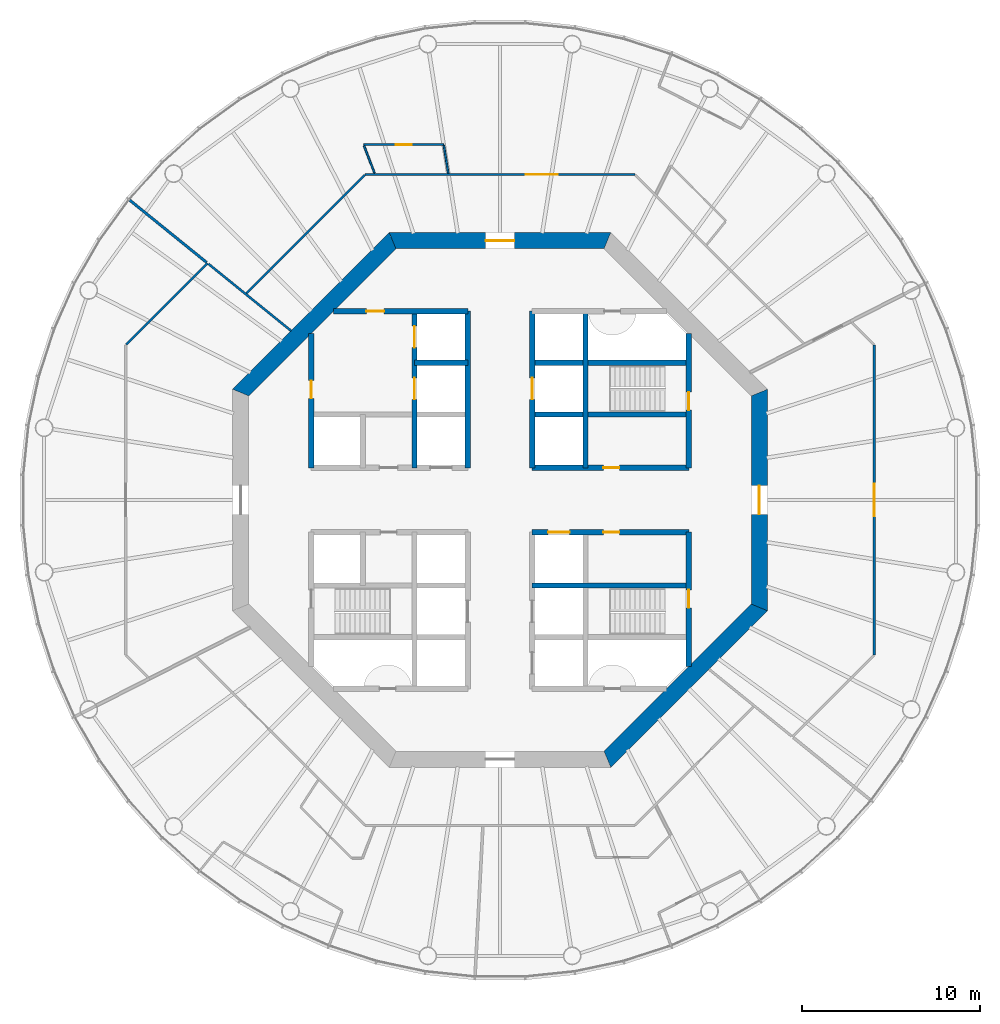
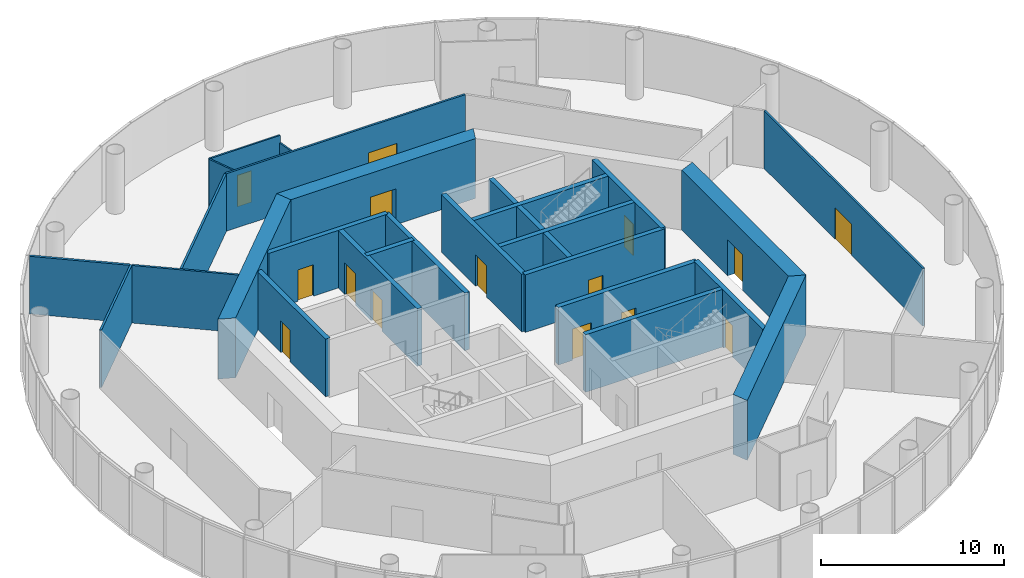
# One storey, part 4 of 12: 27 walls, 15 doors, 15 openings.
"""IFC4 building model written with IfcOpenShell, lengths in metres."""

from ifc_helpers import new_model, si_unit, direction, frame, frame_2d, origin, place, context, subcontext, project, spatial, polyline, rectangle, outline, extrude, material, layer, layer_set, type_object, element, fill, save


model = new_model("IFC4")

# Units and contexts
model_context = context("Model", 3, precision=1e-05, world=origin(), true_north=direction((0.0, 1.0)))
body_context = subcontext(model_context, "Body", "Model", "MODEL_VIEW")
ifc_project = project(units=[si_unit("LENGTHUNIT", "METRE"), si_unit("AREAUNIT", "SQUARE_METRE"), si_unit("VOLUMEUNIT", "CUBIC_METRE"), si_unit("PLANEANGLEUNIT", "RADIAN"), si_unit("MASSUNIT", "GRAM", prefix="KILO")], contexts=[model_context])

# Site, building, storey
site_placement = place(None, origin())
site = spatial("IfcSite", under=ifc_project, at=site_placement, CompositionType="ELEMENT")
building_placement = place(site_placement, origin())
building = spatial("IfcBuilding", under=site, at=building_placement, Name="Entoto Ring Tower", CompositionType="ELEMENT")
storey_placement = place(building_placement, frame((0.0, 0.0, 254.0)))
storey = spatial("IfcBuildingStorey", under=building, at=storey_placement, Name="L58", CompositionType="ELEMENT", Elevation=254.0)

# Wall, opening, door
ifc_material_1 = material(Name="Concrete C40/50", Category="concrete")
ifc_layer_1 = layer(ifc_material_1, 0.300048828125)
ifc_layer_set_1 = layer_set([ifc_layer_1], Name="Concrete C40/50")
wall_type_1 = type_object("IfcWallType", Name="Core enclosure wall 300 mm reinforced concrete", PredefinedType="SOLIDWALL", material=ifc_layer_set_1)
wall_1_placement = place(storey_placement, frame((100.60009765625, 70.65966796875, 0.0), z_axis=(0.0, 0.0, 1.0), x_axis=(0.0, 1.0, 0.0)))
wall_1 = element("IfcWall", 1, at=wall_1_placement, inside=storey, type_object=wall_type_1, Name="wall-L58-001", PredefinedType="SOLIDWALL", context=body_context, shape_type="SweptSolid", body=[
    extrude(rectangle(XDim=7.540283203125, YDim=0.300048828125, at=frame_2d((3.77001953125, 0.0))), origin(), (0.0, 0.0, 1.0), 3.85009765625),
])
opening_1_placement = place(wall_1_placement, frame((3.290283203125, 0.0, 0.0)))
opening_1 = element("IfcOpeningElement", 2, at=opening_1_placement, cuts=wall_1, Name="Opening K-17", PredefinedType="OPENING", context=body_context, shape_type="SweptSolid", body=[
    extrude(rectangle(XDim=1.0, YDim=2.10009765625, at=frame_2d((0.5, 1.050048828125))), frame((0.0, 0.16015625, 0.0), z_axis=(0.0, -1.0, 0.0), x_axis=(1.0, 0.0, 0.0)), (0.0, 0.0, 1.0), 0.320068359375),
])
ifc_material_2 = material(Name="Steel door leaf, fire rated", Category="steel")
ifc_layer_2 = layer(ifc_material_2, 0.050048828125)
ifc_layer_set_2 = layer_set([ifc_layer_2], Name="Steel door leaf, fire rated")
door_type_1 = type_object("IfcDoorType", Name="Fire door FD60 1000 x 2100 single leaf", OperationType="NOTDEFINED", PredefinedType="DOOR", material=ifc_layer_set_2)
door_1_placement = place(opening_1_placement, origin())
door_1 = element("IfcDoor", 3, at=door_1_placement, inside=storey, type_object=door_type_1, Name="Door K-17", OperationType="SINGLE_SWING_RIGHT", OverallHeight=2.10009765625, OverallWidth=1.0, PredefinedType="DOOR", context=body_context, shape_type="SweptSolid", body=[
    extrude(rectangle(XDim=1.0, YDim=2.10009765625, at=frame_2d((0.5, 1.050048828125))), frame((0.0, 0.02490234375, 0.0), z_axis=(0.0, -1.0, 0.0), x_axis=(1.0, 0.0, 0.0)), (0.0, 0.0, 1.0), 0.050048828125),
])
fill(opening_1, door_1)

wall_2_placement = place(storey_placement, frame((100.60009765625, 81.800048828125, 0.0), z_axis=(0.0, 0.0, 1.0), x_axis=(0.0, 1.0, 0.0)))
wall_2 = element("IfcWall", 4, at=wall_2_placement, inside=storey, type_object=wall_type_1, Name="wall-L58-002", PredefinedType="SOLIDWALL", context=body_context, shape_type="SweptSolid", body=[
    extrude(rectangle(XDim=7.540283203125, YDim=0.300048828125, at=frame_2d((3.77001953125, 0.0))), origin(), (0.0, 0.0, 1.0), 3.85009765625),
])
opening_2_placement = place(wall_2_placement, frame((3.25, 0.0, 0.0)))
opening_2 = element("IfcOpeningElement", 5, at=opening_2_placement, cuts=wall_2, Name="Opening K-52", PredefinedType="OPENING", context=body_context, shape_type="SweptSolid", body=[
    extrude(rectangle(XDim=1.0, YDim=2.10009765625, at=frame_2d((0.5, 1.050048828125))), frame((0.0, 0.16015625, 0.0), z_axis=(0.0, -1.0, 0.0), x_axis=(1.0, 0.0, 0.0)), (0.0, 0.0, 1.0), 0.320068359375),
])
door_2_placement = place(opening_2_placement, origin())
door_2 = element("IfcDoor", 6, at=door_2_placement, inside=storey, type_object=door_type_1, Name="Door K-52", OperationType="SINGLE_SWING_LEFT", OverallHeight=2.10009765625, OverallWidth=1.0, PredefinedType="DOOR", context=body_context, shape_type="SweptSolid", body=[
    extrude(rectangle(XDim=1.0, YDim=2.10009765625, at=frame_2d((0.5, 1.050048828125))), frame((0.0, 0.02490234375, 0.0), z_axis=(0.0, -1.0, 0.0), x_axis=(1.0, 0.0, 0.0)), (0.0, 0.0, 1.0), 0.050048828125),
])
fill(opening_2, door_2)

# Wall
wall_3_placement = place(storey_placement, frame((94.800048828125, 81.800048828125, 0.0), z_axis=(0.0, 0.0, 1.0), x_axis=(0.0, 1.0, 0.0)))
element("IfcWall", 7, at=wall_3_placement, inside=storey, type_object=wall_type_1, Name="wall-L58-004", PredefinedType="SOLIDWALL", context=body_context, shape_type="SweptSolid", body=[
    extrude(rectangle(XDim=8.800048828125, YDim=0.300048828125, at=frame_2d((4.39990234375, 0.0))), origin(), (0.0, 0.0, 1.0), 3.85009765625),
])

# Wall, opening, door
wall_4_placement = place(storey_placement, frame((91.800048828125, 81.800048828125, 0.0), z_axis=(0.0, 0.0, 1.0), x_axis=(0.0, 1.0, 0.0)))
wall_4 = element("IfcWall", 8, at=wall_4_placement, inside=storey, type_object=wall_type_1, Name="wall-L58-006", PredefinedType="SOLIDWALL", context=body_context, shape_type="SweptSolid", body=[
    extrude(rectangle(XDim=8.800048828125, YDim=0.300048828125, at=frame_2d((4.39990234375, 0.0))), origin(), (0.0, 0.0, 1.0), 3.85009765625),
])
opening_3_placement = place(wall_4_placement, frame((3.85009765625, 0.0, 0.0)))
opening_3 = element("IfcOpeningElement", 9, at=opening_3_placement, cuts=wall_4, Name="Opening LD", PredefinedType="OPENING", context=body_context, shape_type="SweptSolid", body=[
    extrude(rectangle(XDim=1.199951171875, YDim=2.10009765625, at=frame_2d((0.60009765625, 1.050048828125))), frame((0.0, 0.16015625, 0.0), z_axis=(0.0, -1.0, 0.0), x_axis=(1.0, 0.0, 0.0)), (0.0, 0.0, 1.0), 0.320068359375),
])
ifc_material_3 = material(Name="Steel and glass door leaf", Category="steel")
ifc_layer_3 = layer(ifc_material_3, 0.050048828125)
ifc_layer_set_3 = layer_set([ifc_layer_3], Name="Steel and glass door leaf")
door_type_2 = type_object("IfcDoorType", Name="Landing door 1200 x 2100 sliding", OperationType="DOUBLE_DOOR_SLIDING", PredefinedType="DOOR", material=ifc_layer_set_3)
door_3_placement = place(opening_3_placement, origin())
door_3 = element("IfcDoor", 10, at=door_3_placement, inside=storey, type_object=door_type_2, Name="Landing door LB1-MR", OperationType="SLIDING_TO_RIGHT", OverallHeight=2.10009765625, OverallWidth=1.199951171875, PredefinedType="DOOR", context=body_context, shape_type="SweptSolid", body=[
    extrude(rectangle(XDim=1.199951171875, YDim=2.10009765625, at=frame_2d((0.60009765625, 1.050048828125))), frame((0.0, 0.02490234375, 0.0), z_axis=(0.0, -1.0, 0.0), x_axis=(1.0, 0.0, 0.0)), (0.0, 0.0, 1.0), 0.050048828125),
])
fill(opening_3, door_3)

# Wall
wall_5_placement = place(storey_placement, frame((88.199951171875, 81.800048828125, 0.0), z_axis=(0.0, 0.0, 1.0), x_axis=(0.0, 1.0, 0.0)))
element("IfcWall", 11, at=wall_5_placement, inside=storey, type_object=wall_type_1, Name="wall-L58-008", PredefinedType="SOLIDWALL", context=body_context, shape_type="SweptSolid", body=[
    extrude(rectangle(XDim=8.800048828125, YDim=0.300048828125, at=frame_2d((4.39990234375, 0.0))), origin(), (0.0, 0.0, 1.0), 3.85009765625),
])

# Wall, openings, doors
wall_6_placement = place(storey_placement, frame((85.199951171875, 81.800048828125, 0.0), z_axis=(0.0, 0.0, 1.0), x_axis=(0.0, 1.0, 0.0)))
wall_6 = element("IfcWall", 12, at=wall_6_placement, inside=storey, type_object=wall_type_1, Name="wall-L58-010", PredefinedType="SOLIDWALL", context=body_context, shape_type="SweptSolid", body=[
    extrude(rectangle(XDim=8.800048828125, YDim=0.300048828125, at=frame_2d((4.39990234375, 0.0))), origin(), (0.0, 0.0, 1.0), 3.85009765625),
])
opening_4_placement = place(wall_6_placement, frame((3.85009765625, 0.0, 0.0)))
opening_4 = element("IfcOpeningElement", 13, at=opening_4_placement, cuts=wall_6, Name="Opening LD", PredefinedType="OPENING", context=body_context, shape_type="SweptSolid", body=[
    extrude(rectangle(XDim=1.199951171875, YDim=2.10009765625, at=frame_2d((0.60009765625, 1.050048828125))), frame((0.0, 0.16015625, 0.0), z_axis=(0.0, -1.0, 0.0), x_axis=(1.0, 0.0, 0.0)), (0.0, 0.0, 1.0), 0.320068359375),
])
opening_5_placement = place(wall_6_placement, frame((6.75, 0.0, 0.0)))
opening_5 = element("IfcOpeningElement", 14, at=opening_5_placement, cuts=wall_6, Name="Opening LD", PredefinedType="OPENING", context=body_context, shape_type="SweptSolid", body=[
    extrude(rectangle(XDim=1.199951171875, YDim=2.10009765625, at=frame_2d((0.60009765625, 1.050048828125))), frame((0.0, 0.16015625, 0.0), z_axis=(0.0, -1.0, 0.0), x_axis=(1.0, 0.0, 0.0)), (0.0, 0.0, 1.0), 0.320068359375),
])
door_4_placement = place(opening_4_placement, origin())
door_4 = element("IfcDoor", 15, at=door_4_placement, inside=storey, type_object=door_type_2, Name="Landing door FF1", OperationType="SLIDING_TO_RIGHT", OverallHeight=2.10009765625, OverallWidth=1.199951171875, PredefinedType="DOOR", context=body_context, shape_type="SweptSolid", body=[
    extrude(rectangle(XDim=1.199951171875, YDim=2.10009765625, at=frame_2d((0.60009765625, 1.050048828125))), frame((0.0, 0.02490234375, 0.0), z_axis=(0.0, -1.0, 0.0), x_axis=(1.0, 0.0, 0.0)), (0.0, 0.0, 1.0), 0.050048828125),
])
fill(opening_4, door_4)
door_5_placement = place(opening_5_placement, origin())
door_5 = element("IfcDoor", 16, at=door_5_placement, inside=storey, type_object=door_type_2, Name="Landing door FF2", OperationType="SLIDING_TO_RIGHT", OverallHeight=2.10009765625, OverallWidth=1.199951171875, PredefinedType="DOOR", context=body_context, shape_type="SweptSolid", body=[
    extrude(rectangle(XDim=1.199951171875, YDim=2.10009765625, at=frame_2d((0.60009765625, 1.050048828125))), frame((0.0, 0.02490234375, 0.0), z_axis=(0.0, -1.0, 0.0), x_axis=(1.0, 0.0, 0.0)), (0.0, 0.0, 1.0), 0.050048828125),
])
fill(opening_5, door_5)

# Wall, opening, door
wall_7_placement = place(storey_placement, frame((79.39990234375, 81.800048828125, 0.0), z_axis=(0.0, 0.0, 1.0), x_axis=(0.0, 1.0, 0.0)))
wall_7 = element("IfcWall", 17, at=wall_7_placement, inside=storey, type_object=wall_type_1, Name="wall-L58-014", PredefinedType="SOLIDWALL", context=body_context, shape_type="SweptSolid", body=[
    extrude(rectangle(XDim=7.540283203125, YDim=0.300048828125, at=frame_2d((3.77001953125, 0.0))), origin(), (0.0, 0.0, 1.0), 3.85009765625),
])
opening_6_placement = place(wall_7_placement, frame((3.89990234375, 0.0, 0.0)))
opening_6 = element("IfcOpeningElement", 18, at=opening_6_placement, cuts=wall_7, Name="Opening K-67", PredefinedType="OPENING", context=body_context, shape_type="SweptSolid", body=[
    extrude(rectangle(XDim=1.0, YDim=2.10009765625, at=frame_2d((0.5, 1.050048828125))), frame((0.0, 0.16015625, 0.0), z_axis=(0.0, -1.0, 0.0), x_axis=(1.0, 0.0, 0.0)), (0.0, 0.0, 1.0), 0.320068359375),
])
door_6_placement = place(opening_6_placement, frame((1.0, 0.0, 0.0), z_axis=(0.0, 0.0, 1.0), x_axis=(-1.0, 0.0, 0.0)))
door_6 = element("IfcDoor", 19, at=door_6_placement, inside=storey, type_object=door_type_1, Name="Door K-67", OperationType="SINGLE_SWING_RIGHT", OverallHeight=2.10009765625, OverallWidth=1.0, PredefinedType="DOOR", context=body_context, shape_type="SweptSolid", body=[
    extrude(rectangle(XDim=1.0, YDim=2.10009765625, at=frame_2d((0.5, 1.050048828125))), frame((0.0, 0.02490234375, 0.0), z_axis=(0.0, -1.0, 0.0), x_axis=(1.0, 0.0, 0.0)), (0.0, 0.0, 1.0), 0.050048828125),
])
fill(opening_6, door_6)

# Wall
wall_8_placement = place(storey_placement, frame((91.800048828125, 75.199951171875, 0.0), z_axis=(0.0, 0.0, 1.0), x_axis=(1.0, 0.0, 0.0)))
element("IfcWall", 20, at=wall_8_placement, inside=storey, type_object=wall_type_1, Name="wall-L58-020", PredefinedType="SOLIDWALL", context=body_context, shape_type="SweptSolid", body=[
    extrude(rectangle(XDim=8.800048828125, YDim=0.300048828125, at=frame_2d((4.39990234375, 0.0))), origin(), (0.0, 0.0, 1.0), 3.85009765625),
])

# Wall, openings, doors
wall_9_placement = place(storey_placement, frame((91.800048828125, 78.199951171875, 0.0), z_axis=(0.0, 0.0, 1.0), x_axis=(1.0, 0.0, 0.0)))
wall_9 = element("IfcWall", 21, at=wall_9_placement, inside=storey, type_object=wall_type_1, Name="wall-L58-022", PredefinedType="SOLIDWALL", context=body_context, shape_type="SweptSolid", body=[
    extrude(rectangle(XDim=8.800048828125, YDim=0.300048828125, at=frame_2d((4.39990234375, 0.0))), origin(), (0.0, 0.0, 1.0), 3.85009765625),
])
opening_7_placement = place(wall_9_placement, frame((0.89990234375, 0.0, 0.0)))
opening_7 = element("IfcOpeningElement", 22, at=opening_7_placement, cuts=wall_9, Name="Opening LD", PredefinedType="OPENING", context=body_context, shape_type="SweptSolid", body=[
    extrude(rectangle(XDim=1.199951171875, YDim=2.10009765625, at=frame_2d((0.60009765625, 1.050048828125))), frame((0.0, 0.16015625, 0.0), z_axis=(0.0, -1.0, 0.0), x_axis=(1.0, 0.0, 0.0)), (0.0, 0.0, 1.0), 0.320068359375),
])
opening_8_placement = place(wall_9_placement, frame((4.0, 0.0, 0.0)))
opening_8 = element("IfcOpeningElement", 23, at=opening_8_placement, cuts=wall_9, Name="Opening K-12", PredefinedType="OPENING", context=body_context, shape_type="SweptSolid", body=[
    extrude(rectangle(XDim=0.89990234375, YDim=2.10009765625, at=frame_2d((0.449951171875, 1.050048828125))), frame((0.0, 0.16015625, 0.0), z_axis=(0.0, -1.0, 0.0), x_axis=(1.0, 0.0, 0.0)), (0.0, 0.0, 1.0), 0.320068359375),
])
ifc_material_4 = material(Name="Steel door leaf, fire rated", Category="steel")
ifc_layer_4 = layer(ifc_material_4, 0.050048828125)
ifc_layer_set_4 = layer_set([ifc_layer_4], Name="Steel door leaf, fire rated")
door_type_3 = type_object("IfcDoorType", Name="Core door 900 x 2100 single leaf", OperationType="NOTDEFINED", PredefinedType="DOOR", material=ifc_layer_set_4)
door_7_placement = place(opening_8_placement, frame((0.89990234375, 0.0, 0.0), z_axis=(0.0, 0.0, 1.0), x_axis=(-1.0, 0.0, 0.0)))
door_7 = element("IfcDoor", 24, at=door_7_placement, inside=storey, type_object=door_type_3, Name="Door K-12", OperationType="SINGLE_SWING_RIGHT", OverallHeight=2.10009765625, OverallWidth=0.89990234375, PredefinedType="DOOR", context=body_context, shape_type="SweptSolid", body=[
    extrude(rectangle(XDim=0.89990234375, YDim=2.10009765625, at=frame_2d((0.449951171875, 1.050048828125))), frame((0.0, 0.02490234375, 0.0), z_axis=(0.0, -1.0, 0.0), x_axis=(1.0, 0.0, 0.0)), (0.0, 0.0, 1.0), 0.050048828125),
])
fill(opening_8, door_7)
door_8_placement = place(opening_7_placement, origin())
door_8 = element("IfcDoor", 25, at=door_8_placement, inside=storey, type_object=door_type_2, Name="Landing door LB6-MR", OperationType="SLIDING_TO_LEFT", OverallHeight=2.10009765625, OverallWidth=1.199951171875, PredefinedType="DOOR", context=body_context, shape_type="SweptSolid", body=[
    extrude(rectangle(XDim=1.199951171875, YDim=2.10009765625, at=frame_2d((0.60009765625, 1.050048828125))), frame((0.0, 0.02490234375, 0.0), z_axis=(0.0, -1.0, 0.0), x_axis=(1.0, 0.0, 0.0)), (0.0, 0.0, 1.0), 0.050048828125),
])
fill(opening_7, door_8)

# Wall, opening, door
wall_10_placement = place(storey_placement, frame((91.800048828125, 81.800048828125, 0.0), z_axis=(0.0, 0.0, 1.0), x_axis=(1.0, 0.0, 0.0)))
wall_10 = element("IfcWall", 26, at=wall_10_placement, inside=storey, type_object=wall_type_1, Name="wall-L58-024", PredefinedType="SOLIDWALL", context=body_context, shape_type="SweptSolid", body=[
    extrude(rectangle(XDim=8.800048828125, YDim=0.300048828125, at=frame_2d((4.39990234375, 0.0))), origin(), (0.0, 0.0, 1.0), 3.85009765625),
])
opening_9_placement = place(wall_10_placement, frame((4.0, 0.0, 0.0)))
opening_9 = element("IfcOpeningElement", 27, at=opening_9_placement, cuts=wall_10, Name="Opening K-11", PredefinedType="OPENING", context=body_context, shape_type="SweptSolid", body=[
    extrude(rectangle(XDim=0.89990234375, YDim=2.10009765625, at=frame_2d((0.449951171875, 1.050048828125))), frame((0.0, 0.16015625, 0.0), z_axis=(0.0, -1.0, 0.0), x_axis=(1.0, 0.0, 0.0)), (0.0, 0.0, 1.0), 0.320068359375),
])
door_9_placement = place(opening_9_placement, origin())
door_9 = element("IfcDoor", 28, at=door_9_placement, inside=storey, type_object=door_type_3, Name="Door K-11", OperationType="SINGLE_SWING_LEFT", OverallHeight=2.10009765625, OverallWidth=0.89990234375, PredefinedType="DOOR", context=body_context, shape_type="SweptSolid", body=[
    extrude(rectangle(XDim=0.89990234375, YDim=2.10009765625, at=frame_2d((0.449951171875, 1.050048828125))), frame((0.0, 0.02490234375, 0.0), z_axis=(0.0, -1.0, 0.0), x_axis=(1.0, 0.0, 0.0)), (0.0, 0.0, 1.0), 0.050048828125),
])
fill(opening_9, door_9)

# Walls
wall_11_placement = place(storey_placement, frame((91.800048828125, 84.800048828125, 0.0), z_axis=(0.0, 0.0, 1.0), x_axis=(1.0, 0.0, 0.0)))
element("IfcWall", 29, at=wall_11_placement, inside=storey, type_object=wall_type_1, Name="wall-L58-026", PredefinedType="SOLIDWALL", context=body_context, shape_type="SweptSolid", body=[
    extrude(rectangle(XDim=8.800048828125, YDim=0.300048828125, at=frame_2d((4.39990234375, 0.0))), origin(), (0.0, 0.0, 1.0), 3.85009765625),
])
wall_12_placement = place(storey_placement, frame((85.199951171875, 87.699951171875, 0.0), z_axis=(0.0, 0.0, 1.0), x_axis=(1.0, 0.0, 0.0)))
element("IfcWall", 30, at=wall_12_placement, inside=storey, type_object=wall_type_1, Name="wall-L58-027", PredefinedType="SOLIDWALL", context=body_context, shape_type="SweptSolid", body=[
    extrude(rectangle(XDim=3.0, YDim=0.300048828125, at=frame_2d((1.5, 0.0))), origin(), (0.0, 0.0, 1.0), 3.85009765625),
])
wall_13_placement = place(storey_placement, frame((91.800048828125, 87.699951171875, 0.0), z_axis=(0.0, 0.0, 1.0), x_axis=(1.0, 0.0, 0.0)))
element("IfcWall", 31, at=wall_13_placement, inside=storey, type_object=wall_type_1, Name="wall-L58-028", PredefinedType="SOLIDWALL", context=body_context, shape_type="SweptSolid", body=[
    extrude(rectangle(XDim=8.800048828125, YDim=0.300048828125, at=frame_2d((4.39990234375, 0.0))), origin(), (0.0, 0.0, 1.0), 3.85009765625),
])

# Wall, opening, door
wall_14_placement = place(storey_placement, frame((80.65966796875, 90.60009765625, 0.0), z_axis=(0.0, 0.0, 1.0), x_axis=(1.0, 0.0, 0.0)))
wall_14 = element("IfcWall", 32, at=wall_14_placement, inside=storey, type_object=wall_type_1, Name="wall-L58-029", PredefinedType="SOLIDWALL", context=body_context, shape_type="SweptSolid", body=[
    extrude(rectangle(XDim=7.540283203125, YDim=0.300048828125, at=frame_2d((3.77001953125, 0.0))), origin(), (0.0, 0.0, 1.0), 3.85009765625),
])
opening_10_placement = place(wall_14_placement, frame((1.84033203125, 0.0, 0.0)))
opening_10 = element("IfcOpeningElement", 33, at=opening_10_placement, cuts=wall_14, Name="Opening K-22", PredefinedType="OPENING", context=body_context, shape_type="SweptSolid", body=[
    extrude(rectangle(XDim=1.0, YDim=2.10009765625, at=frame_2d((0.5, 1.050048828125))), frame((0.0, 0.16015625, 0.0), z_axis=(0.0, -1.0, 0.0), x_axis=(1.0, 0.0, 0.0)), (0.0, 0.0, 1.0), 0.320068359375),
])
door_10_placement = place(opening_10_placement, frame((1.0, 0.0, 0.0), z_axis=(0.0, 0.0, 1.0), x_axis=(-1.0, 0.0, 0.0)))
door_10 = element("IfcDoor", 34, at=door_10_placement, inside=storey, type_object=door_type_1, Name="Door K-22", OperationType="SINGLE_SWING_LEFT", OverallHeight=2.10009765625, OverallWidth=1.0, PredefinedType="DOOR", context=body_context, shape_type="SweptSolid", body=[
    extrude(rectangle(XDim=1.0, YDim=2.10009765625, at=frame_2d((0.5, 1.050048828125))), frame((0.0, 0.02490234375, 0.0), z_axis=(0.0, -1.0, 0.0), x_axis=(1.0, 0.0, 0.0)), (0.0, 0.0, 1.0), 0.050048828125),
])
fill(opening_10, door_10)

ifc_material_5 = material(Name="Concrete C50/60", Category="concrete")
ifc_layer_5 = layer(ifc_material_5, 0.89990234375)
ifc_layer_set_5 = layer_set([ifc_layer_5], Name="Concrete C50/60")
wall_type_2 = type_object("IfcWallType", Name="Core shear wall 900 mm reinforced concrete C50/60", PredefinedType="SHEAR", material=ifc_layer_set_5)
wall_15_placement = place(storey_placement, frame((104.550048828125, 73.97314453125, 0.0), z_axis=(0.0, 0.0, 1.0), x_axis=(0.0, 1.0, 0.0)))
wall_15 = element("IfcWall", 35, at=wall_15_placement, inside=storey, type_object=wall_type_2, Name="wall-L58-core-0", PredefinedType="SHEAR", context=body_context, shape_type="SweptSolid", body=[
    extrude(outline(polyline([(-0.186279296875, -0.449951171875), (12.239990234375, -0.449951171875), (11.867431640625, 0.449951171875), (0.186279296875, 0.449951171875), (-0.186279296875, -0.449951171875)])), origin(), (0.0, 0.0, 1.0), 4.0),
])
opening_11_placement = place(wall_15_placement, frame((5.226806640625, 0.0, 0.0)))
opening_11 = element("IfcOpeningElement", 36, at=opening_11_placement, cuts=wall_15, Name="Opening K-01", PredefinedType="OPENING", context=body_context, shape_type="SweptSolid", body=[
    extrude(rectangle(XDim=1.60009765625, YDim=2.39990234375, at=frame_2d((0.800048828125, 1.199951171875))), frame((0.0, 0.4599609375, 0.0), z_axis=(0.0, -1.0, 0.0), x_axis=(1.0, 0.0, 0.0)), (0.0, 0.0, 1.0), 0.919921875),
])
ifc_material_6 = material(Name="Steel door leaf, fire rated", Category="steel")
ifc_layer_6 = layer(ifc_material_6, 0.050048828125)
ifc_layer_set_6 = layer_set([ifc_layer_6], Name="Steel door leaf, fire rated")
door_type_4 = type_object("IfcDoorType", Name="Entrance door FD60 1600 x 2400 double leaf", OperationType="DOUBLE_DOOR_SINGLE_SWING", PredefinedType="DOOR", material=ifc_layer_set_6)
door_11_placement = place(opening_11_placement, origin())
door_11 = element("IfcDoor", 37, at=door_11_placement, inside=storey, type_object=door_type_4, Name="Entrance door K-01", OperationType="DOUBLE_DOOR_SINGLE_SWING", OverallHeight=2.39990234375, OverallWidth=1.60009765625, PredefinedType="DOOR", context=body_context, shape_type="SweptSolid", body=[
    extrude(rectangle(XDim=1.60009765625, YDim=2.39990234375, at=frame_2d((0.800048828125, 1.199951171875))), frame((0.0, 0.02490234375, 0.0), z_axis=(0.0, -1.0, 0.0), x_axis=(1.0, 0.0, 0.0)), (0.0, 0.0, 1.0), 0.050048828125),
])
fill(opening_11, door_11)

wall_16_placement = place(storey_placement, frame((96.02685546875, 94.550048828125, 0.0), z_axis=(0.0, 0.0, 1.0), x_axis=(-1.0, 0.0, 0.0)))
wall_16 = element("IfcWall", 38, at=wall_16_placement, inside=storey, type_object=wall_type_2, Name="wall-L58-core-2", PredefinedType="SHEAR", context=body_context, shape_type="SweptSolid", body=[
    extrude(outline(polyline([(-0.186279296875, -0.449951171875), (12.239990234375, -0.449951171875), (11.867431640625, 0.449951171875), (0.186279296875, 0.449951171875), (-0.186279296875, -0.449951171875)])), origin(), (0.0, 0.0, 1.0), 4.0),
])
opening_12_placement = place(wall_16_placement, frame((5.226806640625, 0.0, 0.0)))
opening_12 = element("IfcOpeningElement", 39, at=opening_12_placement, cuts=wall_16, Name="Opening K-02", PredefinedType="OPENING", context=body_context, shape_type="SweptSolid", body=[
    extrude(rectangle(XDim=1.60009765625, YDim=2.39990234375, at=frame_2d((0.800048828125, 1.199951171875))), frame((0.0, 0.4599609375, 0.0), z_axis=(0.0, -1.0, 0.0), x_axis=(1.0, 0.0, 0.0)), (0.0, 0.0, 1.0), 0.919921875),
])
door_12_placement = place(opening_12_placement, origin())
door_12 = element("IfcDoor", 40, at=door_12_placement, inside=storey, type_object=door_type_4, Name="Entrance door K-02", OperationType="DOUBLE_DOOR_SINGLE_SWING", OverallHeight=2.39990234375, OverallWidth=1.60009765625, PredefinedType="DOOR", context=body_context, shape_type="SweptSolid", body=[
    extrude(rectangle(XDim=1.60009765625, YDim=2.39990234375, at=frame_2d((0.800048828125, 1.199951171875))), frame((0.0, 0.02490234375, 0.0), z_axis=(0.0, -1.0, 0.0), x_axis=(1.0, 0.0, 0.0)), (0.0, 0.0, 1.0), 0.050048828125),
])
fill(opening_12, door_12)

# Walls
for number, where, z_axis, x_axis, name in (
    (41, (83.97314453125, 94.550048828125, 0.0), (0.0, 0.0, 1.0), (-0.707106781187, -0.707106781187, 0.0), "wall-L58-core-3"),
    (42, (96.02685546875, 65.449951171875, 0.0), (0.0, 0.0, 1.0), (0.707106781187, 0.707106781187, 0.0), "wall-L58-core-7"),
):
    element("IfcWall", number, at=place(storey_placement, frame(where, z_axis=z_axis, x_axis=x_axis)), inside=storey, type_object=wall_type_2, Name=name, PredefinedType="SHEAR", context=body_context, shape_type="SweptSolid", body=[
        extrude(outline(polyline([(-0.186279296875, -0.449951171875), (12.239990234375, -0.449951171875), (11.867431640625, 0.449951171875), (0.186279296875, 0.449951171875), (-0.186279296875, -0.449951171875)])), origin(), (0.0, 0.0, 1.0), 4.0),
    ])

# Wall, opening, door
ifc_material_7 = material(Name="Fire-resisting plasterboard on steel studs", Category="steel")
ifc_layer_7 = layer(ifc_material_7, 0.125)
ifc_layer_set_7 = layer_set([ifc_layer_7], Name="Fire-resisting plasterboard on steel studs")
wall_type_3 = type_object("IfcWallType", Name="Corridor wall 125 mm one-hour plasterboard on steel studs", PredefinedType="PARTITIONING", material=ifc_layer_set_7)
wall_17_placement = place(storey_placement, frame((111.0, 71.301513671875, 0.0), z_axis=(0.0, 0.0, 1.0), x_axis=(0.0, 1.0, 0.0)))
wall_17 = element("IfcWall", 43, at=wall_17_placement, inside=storey, type_object=wall_type_3, Name="partition-L58-002", PredefinedType="PARTITIONING", context=body_context, shape_type="SweptSolid", body=[
    extrude(rectangle(XDim=17.39697265625, YDim=0.125, at=frame_2d((8.698486328125, 0.0))), origin(), (0.0, 0.0, 1.0), 3.85009765625),
])
opening_13_placement = place(wall_17_placement, frame((7.798583984375, 0.0, 0.0)))
opening_13 = element("IfcOpeningElement", 44, at=opening_13_placement, cuts=wall_17, Name="Opening A25-D01", PredefinedType="OPENING", context=body_context, shape_type="SweptSolid", body=[
    extrude(rectangle(XDim=1.800048828125, YDim=2.10009765625, at=frame_2d((0.89990234375, 1.050048828125))), frame((0.0, 0.072509765625, 0.0), z_axis=(0.0, -1.0, 0.0), x_axis=(1.0, 0.0, 0.0)), (0.0, 0.0, 1.0), 0.14501953125),
])
ifc_material_8 = material(Name="Fire-resisting timber door set", Category="wood")
door_type_5 = type_object("IfcDoorType", Name="Door 1800 x 2100 double leaf FD30S fire door", OperationType="DOUBLE_DOOR_SINGLE_SWING", PredefinedType="DOOR", material=ifc_material_8)
door_13_placement = place(opening_13_placement, frame((1.800048828125, 0.0, 0.0), z_axis=(0.0, 0.0, 1.0), x_axis=(-1.0, 0.0, 0.0)))
door_13 = element("IfcDoor", 45, at=door_13_placement, inside=storey, type_object=door_type_5, Name="Door A25-D01", OperationType="DOUBLE_DOOR_SINGLE_SWING", OverallHeight=2.10009765625, OverallWidth=1.800048828125, PredefinedType="DOOR", context=body_context, shape_type="SweptSolid", body=[
    extrude(rectangle(XDim=1.800048828125, YDim=2.10009765625, at=frame_2d((0.89990234375, 1.050048828125))), frame((0.0, 0.02490234375, 0.0), z_axis=(0.0, -1.0, 0.0), x_axis=(1.0, 0.0, 0.0)), (0.0, 0.0, 1.0), 0.050048828125),
])
fill(opening_13, door_13)

wall_18_placement = place(storey_placement, frame((82.435302734375, 98.262451171875, 0.0), z_axis=(0.0, 0.0, 1.0), x_axis=(1.0, 0.0, 0.0)))
wall_18 = element("IfcWall", 46, at=wall_18_placement, inside=storey, type_object=wall_type_3, Name="partition-L58-004", PredefinedType="PARTITIONING", context=body_context, shape_type="SweptSolid", body=[
    extrude(rectangle(XDim=15.12939453125, YDim=0.125, at=frame_2d((7.564697265625, 0.0))), origin(), (0.0, 0.0, 1.0), 3.85009765625),
])
opening_14_placement = place(wall_18_placement, frame((9.00048828125, 0.0, 0.0)))
opening_14 = element("IfcOpeningElement", 47, at=opening_14_placement, cuts=wall_18, Name="Opening A25-D03", PredefinedType="OPENING", context=body_context, shape_type="SweptSolid", body=[
    extrude(rectangle(XDim=1.800048828125, YDim=2.10009765625, at=frame_2d((0.89990234375, 1.050048828125))), frame((0.0, 0.072509765625, 0.0), z_axis=(0.0, -1.0, 0.0), x_axis=(1.0, 0.0, 0.0)), (0.0, 0.0, 1.0), 0.14501953125),
])
door_14_placement = place(opening_14_placement, origin())
door_14 = element("IfcDoor", 48, at=door_14_placement, inside=storey, type_object=door_type_5, Name="Door A25-D03", OperationType="DOUBLE_DOOR_SINGLE_SWING", OverallHeight=2.10009765625, OverallWidth=1.800048828125, PredefinedType="DOOR", context=body_context, shape_type="SweptSolid", body=[
    extrude(rectangle(XDim=1.800048828125, YDim=2.10009765625, at=frame_2d((0.89990234375, 1.050048828125))), frame((0.0, 0.02490234375, 0.0), z_axis=(0.0, -1.0, 0.0), x_axis=(1.0, 0.0, 0.0)), (0.0, 0.0, 1.0), 0.050048828125),
])
fill(opening_14, door_14)

# Walls
wall_19_placement = place(storey_placement, frame((75.7783203125, 91.605224609375, 0.0), z_axis=(0.0, 0.0, 1.0), x_axis=(0.707093754284, 0.707119807849, 0.0)))
element("IfcWall", 49, at=wall_19_placement, inside=storey, type_object=wall_type_3, Name="partition-L58-007", PredefinedType="PARTITIONING", context=body_context, shape_type="SweptSolid", body=[
    extrude(rectangle(XDim=9.37060546875, YDim=0.125, at=frame_2d((4.685302734375, 0.0))), origin(), (0.0, 0.0, 1.0), 3.85009765625),
])
wall_20_placement = place(storey_placement, frame((69.031005859375, 88.7294921875, 0.0), z_axis=(0.0, 0.0, 1.0), x_axis=(0.707106781187, 0.707106781187, 0.0)))
element("IfcWall", 50, at=wall_20_placement, inside=storey, type_object=wall_type_3, Name="partition-L58-009", PredefinedType="PARTITIONING", context=body_context, shape_type="SweptSolid", body=[
    extrude(rectangle(XDim=6.447509765625, YDim=0.125, at=frame_2d((3.2236328125, 0.0))), origin(), (0.0, 0.0, 1.0), 3.85009765625),
])
wall_21_placement = place(storey_placement, frame((78.278564453125, 89.49169921875, 0.0), z_axis=(0.0, 0.0, 1.0), x_axis=(-0.777137265192, 0.629331129891, 0.0)))
element("IfcWall", 51, at=wall_21_placement, inside=storey, type_object=wall_type_3, Name="partition-L58-013", PredefinedType="PARTITIONING", context=body_context, shape_type="SweptSolid", body=[
    extrude(rectangle(XDim=5.97119140625, YDim=0.125, at=frame_2d((2.985595703125, 0.0))), origin(), (0.0, 0.0, 1.0), 3.85009765625),
])

# Wall, opening, door
ifc_material_9 = material(Name="Plasterboard on steel studs", Category="steel")
ifc_layer_8 = layer(ifc_material_9, 0.10009765625)
ifc_layer_set_8 = layer_set([ifc_layer_8], Name="Plasterboard on steel studs")
wall_type_4 = type_object("IfcWallType", Name="Partition 100 mm plasterboard on steel studs", PredefinedType="PARTITIONING", material=ifc_layer_set_8)
wall_22_placement = place(storey_placement, frame((82.3447265625, 99.9423828125, 0.0), z_axis=(0.0, 0.0, 1.0), x_axis=(1.0, 0.0, 0.0)))
wall_22 = element("IfcWall", 52, at=wall_22_placement, inside=storey, type_object=wall_type_4, Name="partition-L58-025", PredefinedType="PARTITIONING", context=body_context, shape_type="SweptSolid", body=[
    extrude(rectangle(XDim=4.49658203125, YDim=0.10009765625, at=frame_2d((2.248291015625, 0.0))), origin(), (0.0, 0.0, 1.0), 3.85009765625),
])
opening_15_placement = place(wall_22_placement, frame((1.79833984375, 0.0, 0.0)))
opening_15 = element("IfcOpeningElement", 53, at=opening_15_placement, cuts=wall_22, Name="Opening A25-D06", PredefinedType="OPENING", context=body_context, shape_type="SweptSolid", body=[
    extrude(rectangle(XDim=0.89990234375, YDim=2.10009765625, at=frame_2d((0.449951171875, 1.050048828125))), frame((0.0, 0.06005859375, 0.0), z_axis=(0.0, -1.0, 0.0), x_axis=(1.0, 0.0, 0.0)), (0.0, 0.0, 1.0), 0.1201171875),
])
ifc_material_10 = material(Name="Veneered timber door leaf in timber frame", Category="wood")
door_type_6 = type_object("IfcDoorType", Name="Door 900 x 2100 single leaf timber veneer", OperationType="NOTDEFINED", PredefinedType="DOOR", material=ifc_material_10)
door_15_placement = place(opening_15_placement, frame((0.89990234375, 0.0, 0.0), z_axis=(0.0, 0.0, 1.0), x_axis=(-1.0, 0.0, 0.0)))
door_15 = element("IfcDoor", 54, at=door_15_placement, inside=storey, type_object=door_type_6, Name="Door A25-D06", OperationType="SINGLE_SWING_RIGHT", OverallHeight=2.10009765625, OverallWidth=0.89990234375, PredefinedType="DOOR", context=body_context, shape_type="SweptSolid", body=[
    extrude(rectangle(XDim=0.89990234375, YDim=2.10009765625, at=frame_2d((0.449951171875, 1.050048828125))), frame((0.0, 0.02490234375, 0.0), z_axis=(0.0, -1.0, 0.0), x_axis=(1.0, 0.0, 0.0)), (0.0, 0.0, 1.0), 0.050048828125),
])
fill(opening_15, door_15)

# Walls
wall_23_placement = place(storey_placement, frame((82.958984375, 98.3427734375, 0.0), z_axis=(0.0, 0.0, 1.0), x_axis=(-0.3584007789, 0.933567823826, 0.0)))
element("IfcWall", 55, at=wall_23_placement, inside=storey, type_object=wall_type_4, Name="partition-L58-040", PredefinedType="PARTITIONING", context=body_context, shape_type="SweptSolid", body=[
    extrude(rectangle(XDim=1.64111328125, YDim=0.10009765625, at=frame_2d((0.820556640625, 0.0))), origin(), (0.0, 0.0, 1.0), 3.85009765625),
])
ifc_material_11 = material(Name="Plasterboard on steel studs", Category="steel")
ifc_layer_9 = layer(ifc_material_11, 0.10009765625)
ifc_layer_set_9 = layer_set([ifc_layer_9], Name="Plasterboard on steel studs")
wall_type_5 = type_object("IfcWallType", Name="Partition 100 mm plasterboard on steel studs, 3350 mm high", PredefinedType="PARTITIONING", material=ifc_layer_set_9)
wall_24_placement = place(storey_placement, frame((87.096435546875, 98.332763671875, 0.0), z_axis=(0.0, 0.0, 1.0), x_axis=(-0.156478148162, 0.987681420878, 0.0)))
element("IfcWall", 56, at=wall_24_placement, inside=storey, type_object=wall_type_5, Name="partition-L58-043", PredefinedType="PARTITIONING", context=body_context, shape_type="SweptSolid", body=[
    extrude(rectangle(XDim=1.58056640625, YDim=0.10009765625, at=frame_2d((0.790283203125, 0.0))), origin(), (0.0, 0.0, 1.0), 3.35009765625),
])
ifc_material_12 = material(Name="Fire-resisting acoustic plasterboard on steel studs", Category="steel")
ifc_layer_10 = layer(ifc_material_12, 0.14990234375)
ifc_layer_set_10 = layer_set([ifc_layer_10], Name="Fire-resisting acoustic plasterboard on steel studs")
wall_type_6 = type_object("IfcWallType", Name="Party wall 150 mm one-hour acoustic plasterboard on steel studs", PredefinedType="PARTITIONING", material=ifc_layer_set_10)
wall_25_placement = place(storey_placement, frame((73.53515625, 93.3330078125, 0.0), z_axis=(0.0, 0.0, 1.0), x_axis=(-0.777171156881, 0.629289276019, 0.0)))
element("IfcWall", 57, at=wall_25_placement, inside=storey, type_object=wall_type_6, Name="partition-L58-018", PredefinedType="PARTITIONING", context=body_context, shape_type="SweptSolid", body=[
    extrude(rectangle(XDim=5.5537109375, YDim=0.14990234375, at=frame_2d((2.77685546875, 0.0))), origin(), (0.0, 0.0, 1.0), 3.85009765625),
])

save(model, "model.ifc")
